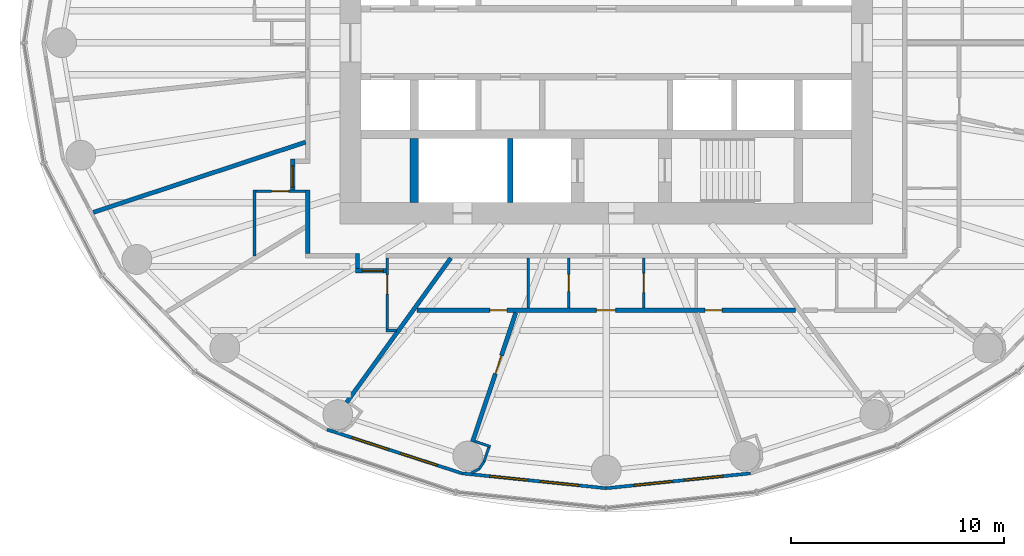
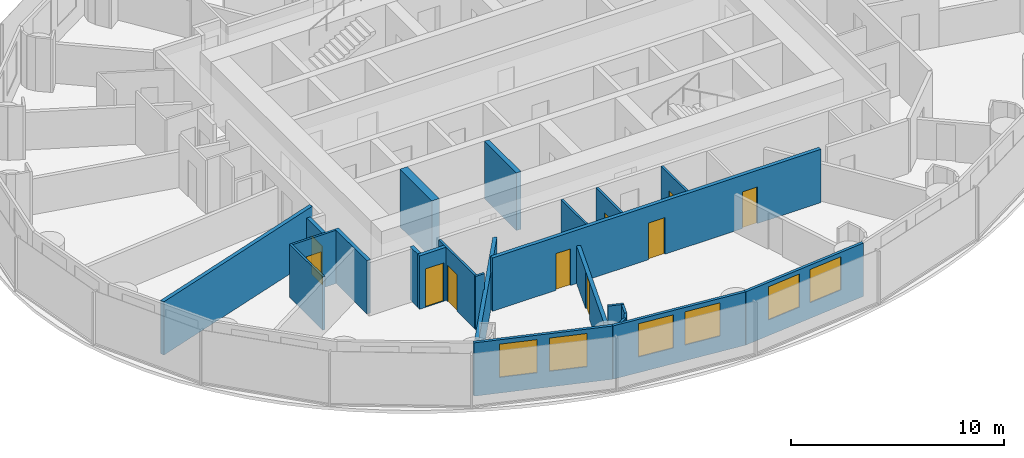
# One storey, part 6 of 14: 24 walls, 10 doors, 6 windows, 16 openings.
"""IFC4 building model written with IfcOpenShell, lengths in metres."""

from ifc_helpers import new_model, si_unit, direction, frame, frame_2d, origin, place, context, subcontext, project, spatial, rectangle, extrude, material, layer, layer_set, type_object, element, fill, save


model = new_model("IFC4")

# Units and contexts
model_context = context("Model", 3, precision=1e-05, world=origin(), true_north=direction((0.0, 1.0)))
body_context = subcontext(model_context, "Body", "Model", "MODEL_VIEW")
ifc_project = project(units=[si_unit("LENGTHUNIT", "METRE"), si_unit("AREAUNIT", "SQUARE_METRE"), si_unit("VOLUMEUNIT", "CUBIC_METRE"), si_unit("PLANEANGLEUNIT", "RADIAN"), si_unit("MASSUNIT", "GRAM", prefix="KILO")], contexts=[model_context])

# Site, building, storey
site_placement = place(None, origin())
site = spatial("IfcSite", under=ifc_project, at=site_placement, CompositionType="ELEMENT")
building_placement = place(site_placement, origin())
building = spatial("IfcBuilding", under=site, at=building_placement, Name="Hankou Lantern Tower", CompositionType="ELEMENT")
storey_placement = place(building_placement, frame((0.0, 0.0, 90.300048828125)))
storey = spatial("IfcBuildingStorey", under=building, at=storey_placement, Name="L23", CompositionType="ELEMENT", Elevation=90.300048828125)

# Wall
ifc_material_1 = material(Name="Concrete C60", Category="concrete")
ifc_layer_1 = layer(ifc_material_1, 0.39990234375)
ifc_layer_set_1 = layer_set([ifc_layer_1], Name="Concrete C60")
wall_type_1 = type_object("IfcWallType", Name="CW4 CORE CROSS WALL 400", PredefinedType="SHEAR", material=ifc_layer_set_1)
wall_1_placement = place(storey_placement, frame((-9.0, -7.5, 0.0), z_axis=(0.0, 0.0, 1.0), x_axis=(0.0, 1.0, 0.0)))
element("IfcWall", 1, at=wall_1_placement, inside=storey, type_object=wall_type_1, Name="Core strip wall L23", PredefinedType="SHEAR", context=body_context, shape_type="SweptSolid", body=[
    extrude(rectangle(XDim=3.0, YDim=0.39990234375, at=frame_2d((1.5, 0.0))), origin(), (0.0, 0.0, 1.0), 3.300048828125),
])

# Wall, openings, windows
ifc_material_2 = material(Name="Aluminium spandrel panel on steel studs", Category="steel")
ifc_layer_2 = layer(ifc_material_2, 0.14990234375)
ifc_layer_set_2 = layer_set([ifc_layer_2], Name="Aluminium spandrel panel on steel studs")
wall_type_2 = type_object("IfcWallType", Name="EW1 INNER SKIN WALL 150", PredefinedType="ELEMENTEDWALL", material=ifc_layer_set_2)
wall_2_placement = place(storey_placement, frame((-13.096435546875, -18.14697265625, 0.0), z_axis=(0.0, 0.0, 1.0), x_axis=(0.951137534625, -0.308767534285, 0.0)))
wall_2 = element("IfcWall", 2, at=wall_2_placement, inside=storey, type_object=wall_type_2, Name="Inner skin R17-R18 L23", PredefinedType="ELEMENTEDWALL", context=body_context, shape_type="SweptSolid", body=[
    extrude(rectangle(XDim=6.6552734375, YDim=0.14990234375, at=frame_2d((3.32763671875, 0.0))), origin(), (0.0, 0.0, 1.0), 3.050048828125),
])
opening_1_placement = place(wall_2_placement, frame((1.2275390625, 0.0, 0.89990234375)))
opening_1 = element("IfcOpeningElement", 3, at=opening_1_placement, cuts=wall_2, Name="Opening W1", PredefinedType="OPENING", context=body_context, shape_type="SweptSolid", body=[
    extrude(rectangle(XDim=1.800048828125, YDim=1.89990234375, at=frame_2d((0.89990234375, 0.949951171875))), frame((0.0, 0.0849609375, 0.0), z_axis=(0.0, -1.0, 0.0), x_axis=(1.0, 0.0, 0.0)), (0.0, 0.0, 1.0), 0.169921875),
])
opening_2_placement = place(wall_2_placement, frame((3.627685546875, 0.0, 0.89990234375)))
opening_2 = element("IfcOpeningElement", 4, at=opening_2_placement, cuts=wall_2, Name="Opening W1", PredefinedType="OPENING", context=body_context, shape_type="SweptSolid", body=[
    extrude(rectangle(XDim=1.800048828125, YDim=1.89990234375, at=frame_2d((0.89990234375, 0.949951171875))), frame((0.0, 0.0849609375, 0.0), z_axis=(0.0, -1.0, 0.0), x_axis=(1.0, 0.0, 0.0)), (0.0, 0.0, 1.0), 0.169921875),
])
ifc_material_3 = material(Name="Aluminium framed double glazed window", Category="aluminium")
window_type = type_object("IfcWindowType", Name="W1 GUEST ROOM WINDOW 1800X1900", PartitioningType="DOUBLE_PANEL_VERTICAL", PredefinedType="WINDOW", material=ifc_material_3)
window_1_placement = place(opening_1_placement, origin())
window_1 = element("IfcWindow", 5, at=window_1_placement, inside=storey, type_object=window_type, Name="Window R17.1 L23", OverallHeight=1.89990234375, OverallWidth=1.800048828125, PartitioningType="SINGLE_PANEL", PredefinedType="WINDOW", context=body_context, shape_type="SweptSolid", body=[
    extrude(rectangle(XDim=1.800048828125, YDim=1.89990234375, at=frame_2d((0.89990234375, 0.949951171875))), frame((0.0, 0.030029296875, 0.0), z_axis=(0.0, -1.0, 0.0), x_axis=(1.0, 0.0, 0.0)), (0.0, 0.0, 1.0), 0.06005859375),
])
fill(opening_1, window_1)
window_2_placement = place(opening_2_placement, origin())
window_2 = element("IfcWindow", 6, at=window_2_placement, inside=storey, type_object=window_type, Name="Window R17.2 L23", OverallHeight=1.89990234375, OverallWidth=1.800048828125, PartitioningType="SINGLE_PANEL", PredefinedType="WINDOW", context=body_context, shape_type="SweptSolid", body=[
    extrude(rectangle(XDim=1.800048828125, YDim=1.89990234375, at=frame_2d((0.89990234375, 0.949951171875))), frame((0.0, 0.030029296875, 0.0), z_axis=(0.0, -1.0, 0.0), x_axis=(1.0, 0.0, 0.0)), (0.0, 0.0, 1.0), 0.06005859375),
])
fill(opening_2, window_2)

wall_3_placement = place(storey_placement, frame((-6.766357421875, -20.201904296875, 0.0), z_axis=(0.0, 0.0, 1.0), x_axis=(0.994721394369, -0.102612609291, 0.0)))
wall_3 = element("IfcWall", 7, at=wall_3_placement, inside=storey, type_object=wall_type_2, Name="Inner skin R18-R19 L23", PredefinedType="ELEMENTEDWALL", context=body_context, shape_type="SweptSolid", body=[
    extrude(rectangle(XDim=6.80224609375, YDim=0.14990234375, at=frame_2d((3.401123046875, 0.0))), origin(), (0.0, 0.0, 1.0), 3.050048828125),
])
opening_3_placement = place(wall_3_placement, frame((1.301025390625, 0.0, 0.89990234375)))
opening_3 = element("IfcOpeningElement", 8, at=opening_3_placement, cuts=wall_3, Name="Opening W1", PredefinedType="OPENING", context=body_context, shape_type="SweptSolid", body=[
    extrude(rectangle(XDim=1.800048828125, YDim=1.89990234375, at=frame_2d((0.89990234375, 0.949951171875))), frame((0.0, 0.0849609375, 0.0), z_axis=(0.0, -1.0, 0.0), x_axis=(1.0, 0.0, 0.0)), (0.0, 0.0, 1.0), 0.169921875),
])
opening_4_placement = place(wall_3_placement, frame((3.701171875, 0.0, 0.89990234375)))
opening_4 = element("IfcOpeningElement", 9, at=opening_4_placement, cuts=wall_3, Name="Opening W1", PredefinedType="OPENING", context=body_context, shape_type="SweptSolid", body=[
    extrude(rectangle(XDim=1.800048828125, YDim=1.89990234375, at=frame_2d((0.89990234375, 0.949951171875))), frame((0.0, 0.0849609375, 0.0), z_axis=(0.0, -1.0, 0.0), x_axis=(1.0, 0.0, 0.0)), (0.0, 0.0, 1.0), 0.169921875),
])
window_3_placement = place(opening_3_placement, origin())
window_3 = element("IfcWindow", 10, at=window_3_placement, inside=storey, type_object=window_type, Name="Window R18.1 L23", OverallHeight=1.89990234375, OverallWidth=1.800048828125, PartitioningType="SINGLE_PANEL", PredefinedType="WINDOW", context=body_context, shape_type="SweptSolid", body=[
    extrude(rectangle(XDim=1.800048828125, YDim=1.89990234375, at=frame_2d((0.89990234375, 0.949951171875))), frame((0.0, 0.030029296875, 0.0), z_axis=(0.0, -1.0, 0.0), x_axis=(1.0, 0.0, 0.0)), (0.0, 0.0, 1.0), 0.06005859375),
])
fill(opening_3, window_3)
window_4_placement = place(opening_4_placement, origin())
window_4 = element("IfcWindow", 11, at=window_4_placement, inside=storey, type_object=window_type, Name="Window R18.2 L23", OverallHeight=1.89990234375, OverallWidth=1.800048828125, PartitioningType="SINGLE_PANEL", PredefinedType="WINDOW", context=body_context, shape_type="SweptSolid", body=[
    extrude(rectangle(XDim=1.800048828125, YDim=1.89990234375, at=frame_2d((0.89990234375, 0.949951171875))), frame((0.0, 0.030029296875, 0.0), z_axis=(0.0, -1.0, 0.0), x_axis=(1.0, 0.0, 0.0)), (0.0, 0.0, 1.0), 0.06005859375),
])
fill(opening_4, window_4)

wall_4_placement = place(storey_placement, frame((0.0, -20.89990234375, 0.0), z_axis=(0.0, 0.0, 1.0), x_axis=(0.994721394369, 0.102612609291, 0.0)))
wall_4 = element("IfcWall", 12, at=wall_4_placement, inside=storey, type_object=wall_type_2, Name="Inner skin R19-R20 L23", PredefinedType="ELEMENTEDWALL", context=body_context, shape_type="SweptSolid", body=[
    extrude(rectangle(XDim=6.80224609375, YDim=0.14990234375, at=frame_2d((3.401123046875, 0.0))), origin(), (0.0, 0.0, 1.0), 3.050048828125),
])
opening_5_placement = place(wall_4_placement, frame((1.301025390625, 0.0, 0.89990234375)))
opening_5 = element("IfcOpeningElement", 13, at=opening_5_placement, cuts=wall_4, Name="Opening W1", PredefinedType="OPENING", context=body_context, shape_type="SweptSolid", body=[
    extrude(rectangle(XDim=1.800048828125, YDim=1.89990234375, at=frame_2d((0.89990234375, 0.949951171875))), frame((0.0, 0.0849609375, 0.0), z_axis=(0.0, -1.0, 0.0), x_axis=(1.0, 0.0, 0.0)), (0.0, 0.0, 1.0), 0.169921875),
])
opening_6_placement = place(wall_4_placement, frame((3.701171875, 0.0, 0.89990234375)))
opening_6 = element("IfcOpeningElement", 14, at=opening_6_placement, cuts=wall_4, Name="Opening W1", PredefinedType="OPENING", context=body_context, shape_type="SweptSolid", body=[
    extrude(rectangle(XDim=1.800048828125, YDim=1.89990234375, at=frame_2d((0.89990234375, 0.949951171875))), frame((0.0, 0.0849609375, 0.0), z_axis=(0.0, -1.0, 0.0), x_axis=(1.0, 0.0, 0.0)), (0.0, 0.0, 1.0), 0.169921875),
])
window_5_placement = place(opening_5_placement, origin())
window_5 = element("IfcWindow", 15, at=window_5_placement, inside=storey, type_object=window_type, Name="Window R19.1 L23", OverallHeight=1.89990234375, OverallWidth=1.800048828125, PartitioningType="SINGLE_PANEL", PredefinedType="WINDOW", context=body_context, shape_type="SweptSolid", body=[
    extrude(rectangle(XDim=1.800048828125, YDim=1.89990234375, at=frame_2d((0.89990234375, 0.949951171875))), frame((0.0, 0.030029296875, 0.0), z_axis=(0.0, -1.0, 0.0), x_axis=(1.0, 0.0, 0.0)), (0.0, 0.0, 1.0), 0.06005859375),
])
fill(opening_5, window_5)
window_6_placement = place(opening_6_placement, origin())
window_6 = element("IfcWindow", 16, at=window_6_placement, inside=storey, type_object=window_type, Name="Window R19.2 L23", OverallHeight=1.89990234375, OverallWidth=1.800048828125, PartitioningType="SINGLE_PANEL", PredefinedType="WINDOW", context=body_context, shape_type="SweptSolid", body=[
    extrude(rectangle(XDim=1.800048828125, YDim=1.89990234375, at=frame_2d((0.89990234375, 0.949951171875))), frame((0.0, 0.030029296875, 0.0), z_axis=(0.0, -1.0, 0.0), x_axis=(1.0, 0.0, 0.0)), (0.0, 0.0, 1.0), 0.06005859375),
])
fill(opening_6, window_6)

# Wall
ifc_material_4 = material(Name="Masonry lightweight concrete block", Category="masonry")
ifc_layer_3 = layer(ifc_material_4, 0.199951171875)
ifc_layer_set_3 = layer_set([ifc_layer_3], Name="Masonry lightweight concrete block")
wall_type_3 = type_object("IfcWallType", Name="IW1 GUEST ROOM PARTY WALL 200", PredefinedType="PARTITIONING", material=ifc_layer_set_3)
wall_5_placement = place(storey_placement, frame((-7.2890625, -10.10009765625, 0.0), z_axis=(0.0, 0.0, 1.0), x_axis=(-0.585198353053, -0.810890182197, 0.0)))
element("IfcWall", 17, at=wall_5_placement, inside=storey, type_object=wall_type_3, Name="Party wall R17", PredefinedType="PARTITIONING", context=body_context, shape_type="SweptSolid", body=[
    extrude(rectangle(XDim=8.359619140625, YDim=0.199951171875, at=frame_2d((4.1796875, 0.0))), origin(), (0.0, 0.0, 1.0), 2.14990234375),
])

# Wall, opening, door
ifc_material_5 = material(Name="Masonry lightweight concrete block", Category="masonry")
ifc_layer_4 = layer(ifc_material_5, 0.199951171875)
ifc_layer_set_4 = layer_set([ifc_layer_4], Name="Masonry lightweight concrete block")
wall_type_4 = type_object("IfcWallType", Name="IW2 CORRIDOR WALL 200", PredefinedType="PARTITIONING", material=ifc_layer_set_4)
wall_6_placement = place(storey_placement, frame((-14.699951171875, -5.458984375, 0.0), z_axis=(0.0, 0.0, 1.0), x_axis=(0.0, -1.0, 0.0)))
wall_6 = element("IfcWall", 18, at=wall_6_placement, inside=storey, type_object=wall_type_4, Name="Corridor recess wall 2304 back", PredefinedType="PARTITIONING", context=body_context, shape_type="SweptSolid", body=[
    extrude(rectangle(XDim=1.43994140625, YDim=0.199951171875, at=frame_2d((0.719970703125, 0.0))), origin(), (0.0, 0.0, 1.0), 3.050048828125),
])
opening_7_placement = place(wall_6_placement, frame((0.320068359375, 0.0, 0.0)))
opening_7 = element("IfcOpeningElement", 19, at=opening_7_placement, cuts=wall_6, Name="Opening D1", PredefinedType="OPENING", context=body_context, shape_type="SweptSolid", body=[
    extrude(rectangle(XDim=1.0, YDim=2.199951171875, at=frame_2d((0.5, 1.10009765625))), frame((0.0, 0.10986328125, 0.0), z_axis=(0.0, -1.0, 0.0), x_axis=(1.0, 0.0, 0.0)), (0.0, 0.0, 1.0), 0.219970703125),
])
ifc_material_6 = material(Name="Steel door leaf", Category="steel")
door_type_1 = type_object("IfcDoorType", Name="D1 GUEST ROOM DOOR 1000X2200", OperationType="SINGLE_SWING_LEFT", PredefinedType="DOOR", material=ifc_material_6)
door_1_placement = place(opening_7_placement, origin())
door_1 = element("IfcDoor", 20, at=door_1_placement, inside=storey, type_object=door_type_1, Name="Guest room door 2304", OperationType="SINGLE_SWING_RIGHT", OverallHeight=2.199951171875, OverallWidth=1.0, PredefinedType="DOOR", context=body_context, shape_type="SweptSolid", body=[
    extrude(rectangle(XDim=1.0, YDim=2.199951171875, at=frame_2d((0.5, 1.10009765625))), frame((0.0, 0.02490234375, 0.0), z_axis=(0.0, -1.0, 0.0), x_axis=(1.0, 0.0, 0.0)), (0.0, 0.0, 1.0), 0.050048828125),
])
fill(opening_7, door_1)

wall_7_placement = place(storey_placement, frame((-10.3291015625, -10.699951171875, 0.0), z_axis=(0.0, 0.0, 1.0), x_axis=(-1.0, 0.0, 0.0)))
wall_7 = element("IfcWall", 21, at=wall_7_placement, inside=storey, type_object=wall_type_4, Name="Corridor recess wall 2305 back", PredefinedType="PARTITIONING", context=body_context, shape_type="SweptSolid", body=[
    extrude(rectangle(XDim=1.43994140625, YDim=0.199951171875, at=frame_2d((0.719970703125, 0.0))), origin(), (0.0, 0.0, 1.0), 3.050048828125),
])
opening_8_placement = place(wall_7_placement, frame((0.1201171875, 0.0, 0.0)))
opening_8 = element("IfcOpeningElement", 22, at=opening_8_placement, cuts=wall_7, Name="Opening D1", PredefinedType="OPENING", context=body_context, shape_type="SweptSolid", body=[
    extrude(rectangle(XDim=1.0, YDim=2.199951171875, at=frame_2d((0.5, 1.10009765625))), frame((0.0, 0.10986328125, 0.0), z_axis=(0.0, -1.0, 0.0), x_axis=(1.0, 0.0, 0.0)), (0.0, 0.0, 1.0), 0.219970703125),
])
door_2_placement = place(opening_8_placement, origin())
door_2 = element("IfcDoor", 23, at=door_2_placement, inside=storey, type_object=door_type_1, Name="Guest room door 2305", OperationType="SINGLE_SWING_LEFT", OverallHeight=2.199951171875, OverallWidth=1.0, PredefinedType="DOOR", context=body_context, shape_type="SweptSolid", body=[
    extrude(rectangle(XDim=1.0, YDim=2.199951171875, at=frame_2d((0.5, 1.10009765625))), frame((0.0, 0.02490234375, 0.0), z_axis=(0.0, -1.0, 0.0), x_axis=(1.0, 0.0, 0.0)), (0.0, 0.0, 1.0), 0.050048828125),
])
fill(opening_8, door_2)

# Walls
wall_8_placement = place(storey_placement, frame((-11.6689453125, -9.89990234375, 0.0), z_axis=(0.0, 0.0, 1.0), x_axis=(0.0, -1.0, 0.0)))
element("IfcWall", 24, at=wall_8_placement, inside=storey, type_object=wall_type_4, Name="Corridor recess wall 2305 side", PredefinedType="PARTITIONING", context=body_context, shape_type="SweptSolid", body=[
    extrude(rectangle(XDim=0.7001953125, YDim=0.199951171875, at=frame_2d((0.35009765625, 0.0))), origin(), (0.0, 0.0, 1.0), 3.050048828125),
])
wall_9_placement = place(storey_placement, frame((-14.0, -6.89892578125, 0.0), z_axis=(0.0, 0.0, 1.0), x_axis=(0.0, -1.0, 0.0)))
element("IfcWall", 25, at=wall_9_placement, inside=storey, type_object=wall_type_4, Name="Corridor wall west", PredefinedType="PARTITIONING", context=body_context, shape_type="SweptSolid", body=[
    extrude(rectangle(XDim=3.0009765625, YDim=0.199951171875, at=frame_2d((1.50048828125, 0.0))), origin(), (0.0, 0.0, 1.0), 3.050048828125),
])
ifc_material_7 = material(Name="Masonry lightweight concrete block", Category="masonry")
ifc_layer_5 = layer(ifc_material_7, 0.1201171875)
ifc_layer_set_5 = layer_set([ifc_layer_5], Name="Masonry lightweight concrete block")
wall_type_5 = type_object("IfcWallType", Name="IW3 BATHROOM WALL 120", PredefinedType="PARTITIONING", material=ifc_layer_set_5)
wall_10_placement = place(storey_placement, frame((-16.5, -10.009521484375, 0.0), z_axis=(0.0, 0.0, 1.0), x_axis=(0.0, 1.0, 0.0)))
element("IfcWall", 26, at=wall_10_placement, inside=storey, type_object=wall_type_5, Name="Box wall 2304 1", PredefinedType="PARTITIONING", context=body_context, shape_type="SweptSolid", body=[
    extrude(rectangle(XDim=3.110595703125, YDim=0.1201171875, at=frame_2d((1.55517578125, 0.0))), origin(), (0.0, 0.0, 1.0), 3.050048828125),
])

# Wall, opening, door
wall_11_placement = place(storey_placement, frame((-14.10009765625, -6.958984375, 0.0), z_axis=(0.0, 0.0, 1.0), x_axis=(-1.0, 0.0, 0.0)))
wall_11 = element("IfcWall", 27, at=wall_11_placement, inside=storey, type_object=wall_type_5, Name="Box wall 2304 1", PredefinedType="PARTITIONING", context=body_context, shape_type="SweptSolid", body=[
    extrude(rectangle(XDim=2.33984375, YDim=0.1201171875, at=frame_2d((1.169921875, 0.0))), origin(), (0.0, 0.0, 1.0), 3.050048828125),
])
opening_9_placement = place(wall_11_placement, frame((0.800048828125, 0.0, 0.0)))
opening_9 = element("IfcOpeningElement", 28, at=opening_9_placement, cuts=wall_11, Name="Opening D3", PredefinedType="OPENING", context=body_context, shape_type="SweptSolid", body=[
    extrude(rectangle(XDim=0.800048828125, YDim=2.10009765625, at=frame_2d((0.39990234375, 1.050048828125))), frame((0.0, 0.070068359375, 0.0), z_axis=(0.0, -1.0, 0.0), x_axis=(1.0, 0.0, 0.0)), (0.0, 0.0, 1.0), 0.14013671875),
])
ifc_material_8 = material(Name="Timber door leaf", Category="wood")
door_type_2 = type_object("IfcDoorType", Name="D3 BATHROOM DOOR 800X2100", OperationType="SINGLE_SWING_LEFT", PredefinedType="DOOR", material=ifc_material_8)
door_3_placement = place(opening_9_placement, origin())
door_3 = element("IfcDoor", 29, at=door_3_placement, inside=storey, type_object=door_type_2, Name="En-suite bathroom 2304 door", OperationType="SINGLE_SWING_RIGHT", OverallHeight=2.10009765625, OverallWidth=0.800048828125, PredefinedType="DOOR", context=body_context, shape_type="SweptSolid", body=[
    extrude(rectangle(XDim=0.800048828125, YDim=2.10009765625, at=frame_2d((0.39990234375, 1.050048828125))), frame((0.0, 0.02490234375, 0.0), z_axis=(0.0, -1.0, 0.0), x_axis=(1.0, 0.0, 0.0)), (0.0, 0.0, 1.0), 0.050048828125),
])
fill(opening_9, door_3)

# Wall
wall_12_placement = place(storey_placement, frame((-9.8427734375, -13.5, 0.0), z_axis=(0.0, 0.0, 1.0), x_axis=(-1.0, 0.0, 0.0)))
element("IfcWall", 30, at=wall_12_placement, inside=storey, type_object=wall_type_5, Name="Box wall 2305 1", PredefinedType="PARTITIONING", context=body_context, shape_type="SweptSolid", body=[
    extrude(rectangle(XDim=0.486328125, YDim=0.1201171875, at=frame_2d((0.2431640625, 0.0))), origin(), (0.0, 0.0, 1.0), 3.050048828125),
])

# Wall, opening, door
wall_13_placement = place(storey_placement, frame((-10.26904296875, -10.10009765625, 0.0), z_axis=(0.0, 0.0, 1.0), x_axis=(0.0, -1.0, 0.0)))
wall_13 = element("IfcWall", 31, at=wall_13_placement, inside=storey, type_object=wall_type_5, Name="Box wall 2305 1", PredefinedType="PARTITIONING", context=body_context, shape_type="SweptSolid", body=[
    extrude(rectangle(XDim=3.33984375, YDim=0.1201171875, at=frame_2d((1.669921875, 0.0))), origin(), (0.0, 0.0, 1.0), 3.050048828125),
])
opening_10_placement = place(wall_13_placement, frame((0.800048828125, 0.0, 0.0)))
opening_10 = element("IfcOpeningElement", 32, at=opening_10_placement, cuts=wall_13, Name="Opening D26", PredefinedType="OPENING", context=body_context, shape_type="SweptSolid", body=[
    extrude(rectangle(XDim=0.89990234375, YDim=2.10009765625, at=frame_2d((0.449951171875, 1.050048828125))), frame((0.0, 0.070068359375, 0.0), z_axis=(0.0, -1.0, 0.0), x_axis=(1.0, 0.0, 0.0)), (0.0, 0.0, 1.0), 0.14013671875),
])
ifc_material_9 = material(Name="Timber door leaf", Category="wood")
door_type_3 = type_object("IfcDoorType", Name="D26 ACCESSIBLE BATHROOM DOOR 900X2100", OperationType="SLIDING_TO_LEFT", PredefinedType="DOOR", material=ifc_material_9)
door_4_placement = place(opening_10_placement, origin())
door_4 = element("IfcDoor", 33, at=door_4_placement, inside=storey, type_object=door_type_3, Name="Accessible bathroom 2305 door", OperationType="SLIDING_TO_LEFT", OverallHeight=2.10009765625, OverallWidth=0.89990234375, PredefinedType="DOOR", context=body_context, shape_type="SweptSolid", body=[
    extrude(rectangle(XDim=0.89990234375, YDim=2.10009765625, at=frame_2d((0.449951171875, 1.050048828125))), frame((0.0, 0.02490234375, 0.0), z_axis=(0.0, -1.0, 0.0), x_axis=(1.0, 0.0, 0.0)), (0.0, 0.0, 1.0), 0.050048828125),
])
fill(opening_10, door_4)

# Wall
wall_14_placement = place(storey_placement, frame((-3.66455078125, -10.10009765625, 0.0), z_axis=(0.0, 0.0, 1.0), x_axis=(0.0, -1.0, 0.0)))
element("IfcWall", 34, at=wall_14_placement, inside=storey, type_object=wall_type_5, Name="Box wall 2306 1", PredefinedType="PARTITIONING", context=body_context, shape_type="SweptSolid", body=[
    extrude(rectangle(XDim=2.349853515625, YDim=0.1201171875, at=frame_2d((1.1748046875, 0.0))), origin(), (0.0, 0.0, 1.0), 3.050048828125),
])

# Wall, opening, door
wall_15_placement = place(storey_placement, frame((-1.75732421875, -10.10009765625, 0.0), z_axis=(0.0, 0.0, 1.0), x_axis=(0.0, -1.0, 0.0)))
wall_15 = element("IfcWall", 35, at=wall_15_placement, inside=storey, type_object=wall_type_5, Name="Box wall 2306 2", PredefinedType="PARTITIONING", context=body_context, shape_type="SweptSolid", body=[
    extrude(rectangle(XDim=2.349853515625, YDim=0.1201171875, at=frame_2d((1.1748046875, 0.0))), origin(), (0.0, 0.0, 1.0), 3.050048828125),
])
opening_11_placement = place(wall_15_placement, frame((0.77001953125, 0.0, 0.0)))
opening_11 = element("IfcOpeningElement", 36, at=opening_11_placement, cuts=wall_15, Name="Opening D3", PredefinedType="OPENING", context=body_context, shape_type="SweptSolid", body=[
    extrude(rectangle(XDim=0.800048828125, YDim=2.10009765625, at=frame_2d((0.39990234375, 1.050048828125))), frame((0.0, 0.070068359375, 0.0), z_axis=(0.0, -1.0, 0.0), x_axis=(1.0, 0.0, 0.0)), (0.0, 0.0, 1.0), 0.14013671875),
])
door_5_placement = place(opening_11_placement, origin())
door_5 = element("IfcDoor", 37, at=door_5_placement, inside=storey, type_object=door_type_2, Name="Family suite 2306 guest WC door", OperationType="SINGLE_SWING_LEFT", OverallHeight=2.10009765625, OverallWidth=0.800048828125, PredefinedType="DOOR", context=body_context, shape_type="SweptSolid", body=[
    extrude(rectangle(XDim=0.800048828125, YDim=2.10009765625, at=frame_2d((0.39990234375, 1.050048828125))), frame((0.0, 0.02490234375, 0.0), z_axis=(0.0, -1.0, 0.0), x_axis=(1.0, 0.0, 0.0)), (0.0, 0.0, 1.0), 0.050048828125),
])
fill(opening_11, door_5)

wall_16_placement = place(storey_placement, frame((1.7626953125, -10.10009765625, 0.0), z_axis=(0.0, 0.0, 1.0), x_axis=(0.0, -1.0, 0.0)))
wall_16 = element("IfcWall", 38, at=wall_16_placement, inside=storey, type_object=wall_type_5, Name="Box wall 2306 3", PredefinedType="PARTITIONING", context=body_context, shape_type="SweptSolid", body=[
    extrude(rectangle(XDim=2.349853515625, YDim=0.1201171875, at=frame_2d((1.1748046875, 0.0))), origin(), (0.0, 0.0, 1.0), 3.050048828125),
])
opening_12_placement = place(wall_16_placement, frame((0.719970703125, 0.0, 0.0)))
opening_12 = element("IfcOpeningElement", 39, at=opening_12_placement, cuts=wall_16, Name="Opening D27", PredefinedType="OPENING", context=body_context, shape_type="SweptSolid", body=[
    extrude(rectangle(XDim=0.89990234375, YDim=2.10009765625, at=frame_2d((0.449951171875, 1.050048828125))), frame((0.0, 0.070068359375, 0.0), z_axis=(0.0, -1.0, 0.0), x_axis=(1.0, 0.0, 0.0)), (0.0, 0.0, 1.0), 0.14013671875),
])
ifc_material_10 = material(Name="Timber door leaf", Category="wood")
door_type_4 = type_object("IfcDoorType", Name="D27 INTERNAL DOOR 900X2100", OperationType="SINGLE_SWING_LEFT", PredefinedType="DOOR", material=ifc_material_10)
door_6_placement = place(opening_12_placement, origin())
door_6 = element("IfcDoor", 40, at=door_6_placement, inside=storey, type_object=door_type_4, Name="Family suite 2306 walk-in wardrobe door", OperationType="SINGLE_SWING_LEFT", OverallHeight=2.10009765625, OverallWidth=0.89990234375, PredefinedType="DOOR", context=body_context, shape_type="SweptSolid", body=[
    extrude(rectangle(XDim=0.89990234375, YDim=2.10009765625, at=frame_2d((0.449951171875, 1.050048828125))), frame((0.0, 0.02490234375, 0.0), z_axis=(0.0, -1.0, 0.0), x_axis=(1.0, 0.0, 0.0)), (0.0, 0.0, 1.0), 0.050048828125),
])
fill(opening_12, door_6)

# Walls
ifc_material_11 = material(Name="Masonry lightweight concrete block", Category="masonry")
ifc_layer_6 = layer(ifc_material_11, 0.1201171875)
ifc_layer_set_6 = layer_set([ifc_layer_6], Name="Masonry lightweight concrete block")
wall_type_6 = type_object("IfcWallType", Name="IW4 PARTITION 120", PredefinedType="PARTITIONING", material=ifc_layer_set_6)
wall_17_placement = place(storey_placement, frame((-6.15869140625, -18.702392578125, 0.0), z_axis=(0.0, 0.0, 1.0), x_axis=(0.948173154049, -0.31775410295, 0.0)))
element("IfcWall", 41, at=wall_17_placement, inside=storey, type_object=wall_type_6, Name="Column casing R18 return", PredefinedType="PARTITIONING", context=body_context, shape_type="SweptSolid", body=[
    extrude(rectangle(XDim=0.767578125, YDim=0.1201171875, at=frame_2d((0.3837890625, 0.0))), origin(), (0.0, 0.0, 1.0), 3.050048828125),
])
wall_18_placement = place(storey_placement, frame((-5.5068359375, -18.984130859375, 0.0), z_axis=(0.0, 0.0, 1.0), x_axis=(-0.317692050622, -0.948193946918, 0.0)))
element("IfcWall", 42, at=wall_18_placement, inside=storey, type_object=wall_type_6, Name="Column casing R18", PredefinedType="PARTITIONING", context=body_context, shape_type="SweptSolid", body=[
    extrude(rectangle(XDim=0.7001953125, YDim=0.1201171875, at=frame_2d((0.35009765625, 0.0))), origin(), (0.0, 0.0, 1.0), 3.050048828125),
])
wall_19_placement = place(storey_placement, frame((-5.729248046875, -19.64794921875, 0.0), z_axis=(0.0, 0.0, 1.0), x_axis=(-0.552135764955, -0.833754218615, 0.0)))
element("IfcWall", 43, at=wall_19_placement, inside=storey, type_object=wall_type_6, Name="Column casing R18", PredefinedType="PARTITIONING", context=body_context, shape_type="SweptSolid", body=[
    extrude(rectangle(XDim=0.41796875, YDim=0.1201171875, at=frame_2d((0.208984375, 0.0))), origin(), (0.0, 0.0, 1.0), 3.050048828125),
])
wall_20_placement = place(storey_placement, frame((-5.9599609375, -19.996337890625, 0.0), z_axis=(0.0, 0.0, 1.0), x_axis=(-0.895160725913, -0.445743507842, 0.0)))
element("IfcWall", 44, at=wall_20_placement, inside=storey, type_object=wall_type_6, Name="Column casing R18", PredefinedType="PARTITIONING", context=body_context, shape_type="SweptSolid", body=[
    extrude(rectangle(XDim=0.398681640625, YDim=0.1201171875, at=frame_2d((0.19921875, 0.0))), origin(), (0.0, 0.0, 1.0), 3.050048828125),
])

# Wall, openings, doors
ifc_material_12 = material(Name="Masonry lightweight concrete block", Category="masonry")
ifc_layer_7 = layer(ifc_material_12, 0.199951171875)
ifc_layer_set_7 = layer_set([ifc_layer_7], Name="Masonry lightweight concrete block")
wall_type_7 = type_object("IfcWallType", Name="IW6 SUITE PARTITION 200", PredefinedType="PARTITIONING", material=ifc_layer_set_7)
wall_21_placement = place(storey_placement, frame((-8.882568359375, -12.550048828125, 0.0), z_axis=(0.0, 0.0, 1.0), x_axis=(1.0, 0.0, 0.0)))
wall_21 = element("IfcWall", 45, at=wall_21_placement, inside=storey, type_object=wall_type_7, Name="Suite foyer wall 2306", PredefinedType="PARTITIONING", context=body_context, shape_type="SweptSolid", body=[
    extrude(rectangle(XDim=17.76513671875, YDim=0.199951171875, at=frame_2d((8.882568359375, 0.0))), origin(), (0.0, 0.0, 1.0), 3.050048828125),
])
opening_13_placement = place(wall_21_placement, frame((3.419921875, 0.0, 0.0)))
opening_13 = element("IfcOpeningElement", 46, at=opening_13_placement, cuts=wall_21, Name="Opening D3", PredefinedType="OPENING", context=body_context, shape_type="SweptSolid", body=[
    extrude(rectangle(XDim=0.800048828125, YDim=2.10009765625, at=frame_2d((0.39990234375, 1.050048828125))), frame((0.0, 0.10986328125, 0.0), z_axis=(0.0, -1.0, 0.0), x_axis=(1.0, 0.0, 0.0)), (0.0, 0.0, 1.0), 0.219970703125),
])
opening_14_placement = place(wall_21_placement, frame((13.52001953125, 0.0, 0.0)))
opening_14 = element("IfcOpeningElement", 47, at=opening_14_placement, cuts=wall_21, Name="Opening D3", PredefinedType="OPENING", context=body_context, shape_type="SweptSolid", body=[
    extrude(rectangle(XDim=0.800048828125, YDim=2.10009765625, at=frame_2d((0.39990234375, 1.050048828125))), frame((0.0, 0.10986328125, 0.0), z_axis=(0.0, -1.0, 0.0), x_axis=(1.0, 0.0, 0.0)), (0.0, 0.0, 1.0), 0.219970703125),
])
opening_15_placement = place(wall_21_placement, frame((8.419921875, 0.0, 0.0)))
opening_15 = element("IfcOpeningElement", 48, at=opening_15_placement, cuts=wall_21, Name="Opening D27", PredefinedType="OPENING", context=body_context, shape_type="SweptSolid", body=[
    extrude(rectangle(XDim=0.89990234375, YDim=2.10009765625, at=frame_2d((0.449951171875, 1.050048828125))), frame((0.0, 0.10986328125, 0.0), z_axis=(0.0, -1.0, 0.0), x_axis=(1.0, 0.0, 0.0)), (0.0, 0.0, 1.0), 0.219970703125),
])
door_7_placement = place(opening_15_placement, origin())
door_7 = element("IfcDoor", 49, at=door_7_placement, inside=storey, type_object=door_type_4, Name="Family suite 2306 living room door", OperationType="SINGLE_SWING_LEFT", OverallHeight=2.10009765625, OverallWidth=0.89990234375, PredefinedType="DOOR", context=body_context, shape_type="SweptSolid", body=[
    extrude(rectangle(XDim=0.89990234375, YDim=2.10009765625, at=frame_2d((0.449951171875, 1.050048828125))), frame((0.0, 0.02490234375, 0.0), z_axis=(0.0, -1.0, 0.0), x_axis=(1.0, 0.0, 0.0)), (0.0, 0.0, 1.0), 0.050048828125),
])
fill(opening_15, door_7)
door_8_placement = place(opening_13_placement, origin())
door_8 = element("IfcDoor", 50, at=door_8_placement, inside=storey, type_object=door_type_2, Name="Family suite 2306 bathroom door", OperationType="SINGLE_SWING_RIGHT", OverallHeight=2.10009765625, OverallWidth=0.800048828125, PredefinedType="DOOR", context=body_context, shape_type="SweptSolid", body=[
    extrude(rectangle(XDim=0.800048828125, YDim=2.10009765625, at=frame_2d((0.39990234375, 1.050048828125))), frame((0.0, 0.02490234375, 0.0), z_axis=(0.0, -1.0, 0.0), x_axis=(1.0, 0.0, 0.0)), (0.0, 0.0, 1.0), 0.050048828125),
])
fill(opening_13, door_8)
door_9_placement = place(opening_14_placement, origin())
door_9 = element("IfcDoor", 51, at=door_9_placement, inside=storey, type_object=door_type_2, Name="Family suite 2306 second bathroom door", OperationType="SINGLE_SWING_LEFT", OverallHeight=2.10009765625, OverallWidth=0.800048828125, PredefinedType="DOOR", context=body_context, shape_type="SweptSolid", body=[
    extrude(rectangle(XDim=0.800048828125, YDim=2.10009765625, at=frame_2d((0.39990234375, 1.050048828125))), frame((0.0, 0.02490234375, 0.0), z_axis=(0.0, -1.0, 0.0), x_axis=(1.0, 0.0, 0.0)), (0.0, 0.0, 1.0), 0.050048828125),
])
fill(opening_14, door_9)

# Wall, opening, door
wall_22_placement = place(storey_placement, frame((-4.24169921875, -12.664306640625, 0.0), z_axis=(0.0, 0.0, 1.0), x_axis=(-0.317590505374, -0.94822796357, 0.0)))
wall_22 = element("IfcWall", 52, at=wall_22_placement, inside=storey, type_object=wall_type_7, Name="Suite partition R18", PredefinedType="PARTITIONING", context=body_context, shape_type="SweptSolid", body=[
    extrude(rectangle(XDim=6.394287109375, YDim=0.199951171875, at=frame_2d((3.197265625, 0.0))), origin(), (0.0, 0.0, 1.0), 2.14990234375),
])
opening_16_placement = place(wall_22_placement, frame((2.1201171875, 0.0, 0.0)))
opening_16 = element("IfcOpeningElement", 53, at=opening_16_placement, cuts=wall_22, Name="Opening D27", PredefinedType="OPENING", context=body_context, shape_type="SweptSolid", body=[
    extrude(rectangle(XDim=0.89990234375, YDim=2.10009765625, at=frame_2d((0.449951171875, 1.050048828125))), frame((0.0, 0.10986328125, 0.0), z_axis=(0.0, -1.0, 0.0), x_axis=(1.0, 0.0, 0.0)), (0.0, 0.0, 1.0), 0.219970703125),
])
door_10_placement = place(opening_16_placement, origin())
door_10 = element("IfcDoor", 54, at=door_10_placement, inside=storey, type_object=door_type_4, Name="Family suite 2306 bedroom door", OperationType="SINGLE_SWING_LEFT", OverallHeight=2.10009765625, OverallWidth=0.89990234375, PredefinedType="DOOR", context=body_context, shape_type="SweptSolid", body=[
    extrude(rectangle(XDim=0.89990234375, YDim=2.10009765625, at=frame_2d((0.449951171875, 1.050048828125))), frame((0.0, 0.02490234375, 0.0), z_axis=(0.0, -1.0, 0.0), x_axis=(1.0, 0.0, 0.0)), (0.0, 0.0, 1.0), 0.050048828125),
])
fill(opening_16, door_10)

# Walls
ifc_material_13 = material(Name="Masonry lightweight concrete block", Category="masonry")
ifc_layer_8 = layer(ifc_material_13, 0.199951171875)
ifc_layer_set_8 = layer_set([ifc_layer_8], Name="Masonry lightweight concrete block")
wall_type_8 = type_object("IfcWallType", Name="IW8 PARTITION 200", PredefinedType="PARTITIONING", material=ifc_layer_set_8)
wall_23_placement = place(storey_placement, frame((-14.10009765625, -4.6630859375, 0.0), z_axis=(0.0, 0.0, 1.0), x_axis=(-0.949432655039, -0.31397075269, 0.0)))
element("IfcWall", 55, at=wall_23_placement, inside=storey, type_object=wall_type_8, Name="Partition R14-R15", PredefinedType="PARTITIONING", context=body_context, shape_type="SweptSolid", body=[
    extrude(rectangle(XDim=10.48583984375, YDim=0.199951171875, at=frame_2d((5.242919921875, 0.0))), origin(), (0.0, 0.0, 1.0), 3.050048828125),
])
ifc_material_14 = material(Name="Masonry autoclaved aerated concrete block", Category="masonry")
ifc_layer_9 = layer(ifc_material_14, 0.25)
ifc_layer_set_9 = layer_set([ifc_layer_9], Name="Masonry autoclaved aerated concrete block")
wall_type_9 = type_object("IfcWallType", Name="SW1 SHAFT BLOCK WALL 250", PredefinedType="PARTITIONING", material=ifc_layer_set_9)
wall_24_placement = place(storey_placement, frame((-4.5, -7.5, 0.0), z_axis=(0.0, 0.0, 1.0), x_axis=(0.0, 1.0, 0.0)))
element("IfcWall", 56, at=wall_24_placement, inside=storey, type_object=wall_type_9, Name="Riser wall L23", PredefinedType="PARTITIONING", context=body_context, shape_type="SweptSolid", body=[
    extrude(rectangle(XDim=3.0, YDim=0.25, at=frame_2d((1.5, 0.0))), origin(), (0.0, 0.0, 1.0), 3.300048828125),
])

save(model, "model.ifc")
